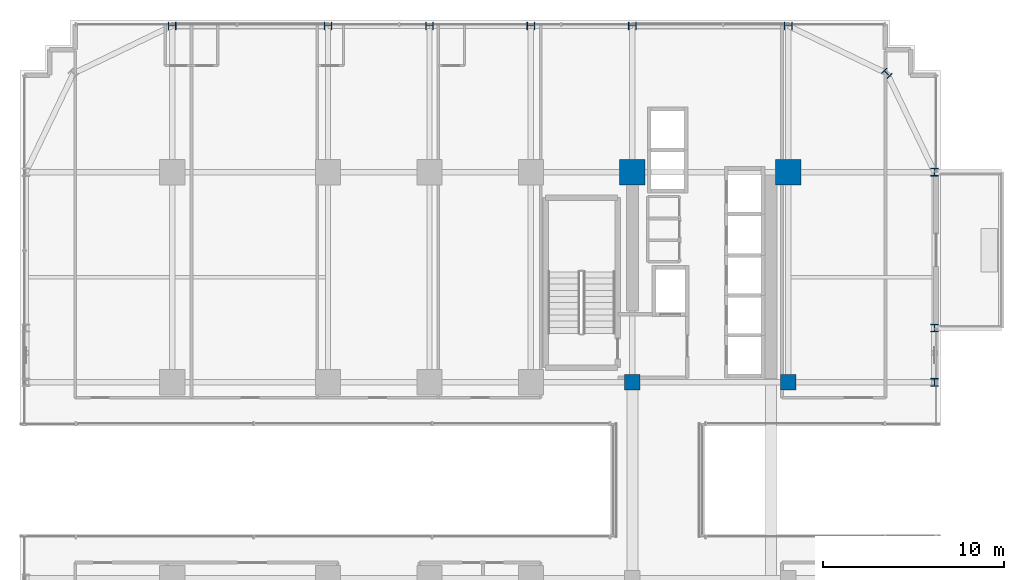
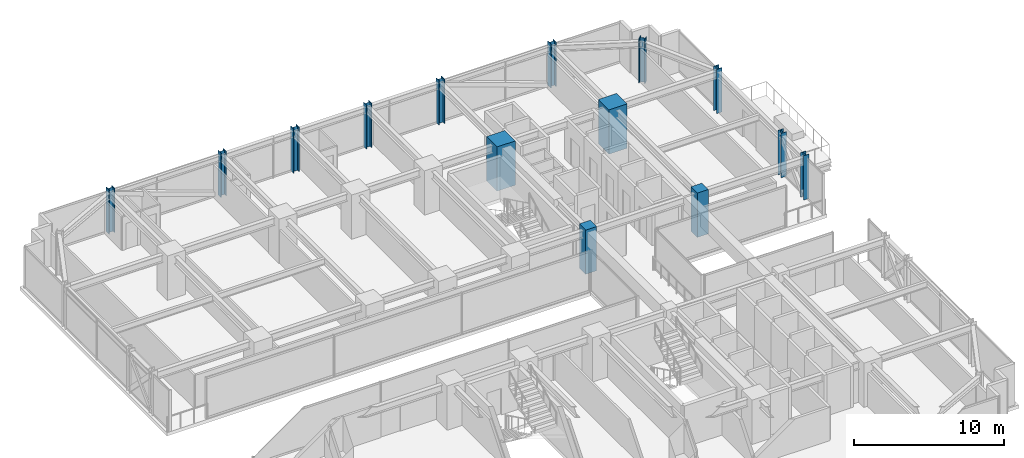
# One storey, part 2 of 35: 14 columns.
"""IFC4 building model written with IfcOpenShell, lengths in metres."""

import ifcopenshell
import ifcopenshell.guid

model = None  # the IFC model being written
_history = None  # IfcOwnerHistory: only IFC2X3 demands one
_inside = {}  # id of a spatial element -> (the spatial element, [elements in it])
_under = {}  # id of a project, library or spatial element -> (it, [spatial elements below it])
_declared = {}  # id of a project -> (the project, [libraries it declares])
_typed = {}  # id of a type object -> (the type object, [elements of that type])
_made_of = {}  # id of a material, layer set ... -> (it, [elements and type objects made of it])


def new_model(schema):
    """Start an empty IFC model of exactly this schema.

    Asked for "IFC4X3", IfcOpenShell would pick the latest addendum, in which some entities
    have other attributes; the version numbers below select the first issue.
    IFC2X3 requires an IfcOwnerHistory on every rooted entity: one is made here for all.
    """
    global model, _history
    if schema == "IFC4X3":
        model = ifcopenshell.file(schema_version=(4, 3, 0, 0))
    else:
        model = ifcopenshell.file(schema=schema)
    _inside.clear()
    _under.clear()
    _declared.clear()
    _typed.clear()
    _made_of.clear()
    _history = None
    if model.schema == "IFC2X3":
        org = make("IfcOrganization", Name="unknown")
        user = make(
            "IfcPersonAndOrganization",
            ThePerson=make("IfcPerson", FamilyName="unknown"),
            TheOrganization=org,
        )
        app = make(
            "IfcApplication",
            ApplicationDeveloper=org,
            Version="unknown",
            ApplicationFullName="unknown",
            ApplicationIdentifier="unknown",
        )
        _history = make(
            "IfcOwnerHistory",
            OwningUser=user,
            OwningApplication=app,
            ChangeAction="ADDED",
            CreationDate=0,
        )
    return model


def make(cls, **values):
    """One entity of the class cls with the attributes given. An attribute that is None is left unset."""
    return model.create_entity(
        cls, **{name: value for name, value in values.items() if value is not None}
    )


def rooted(cls, **values):
    """An entity with a GlobalId (a new one), such as an element, a storey or a relation."""
    return make(cls, GlobalId=ifcopenshell.guid.new(), OwnerHistory=_history, **values)


def si_unit(unit_type, name, prefix=None):
    """IfcSIUnit, for example si_unit("LENGTHUNIT", "METRE", prefix="MILLI")."""
    return make("IfcSIUnit", UnitType=unit_type, Prefix=prefix, Name=name)


def assignment(units):
    """IfcUnitAssignment: the units of a project."""
    return None if units is None else make("IfcUnitAssignment", Units=units)


def point(xyz):
    """IfcCartesianPoint."""
    return None if xyz is None else make("IfcCartesianPoint", Coordinates=xyz)


def direction(xyz):
    """IfcDirection."""
    return None if xyz is None else make("IfcDirection", DirectionRatios=xyz)


def frame(location, z_axis=None, x_axis=None):
    """IfcAxis2Placement3D, a coordinate frame: its origin and axes. An axis left out is left unset."""
    return make(
        "IfcAxis2Placement3D",
        Location=point(location),
        Axis=direction(z_axis),
        RefDirection=direction(x_axis),
    )


def frame_2d(location, x_axis=None):
    """IfcAxis2Placement2D, a coordinate frame in the plane: its origin and x axis."""
    return make(
        "IfcAxis2Placement2D", Location=point(location), RefDirection=direction(x_axis)
    )


def origin():
    """The frame at (0, 0, 0) with its axes left unset."""
    return frame((0.0, 0.0, 0.0))


def origin_2d():
    """The frame at (0, 0) in the plane with its x axis left unset."""
    return frame_2d((0.0, 0.0))


def place(relative_to, where):
    """IfcLocalPlacement: puts the frame where relative to a parent placement (None: the world)."""
    return make(
        "IfcLocalPlacement", PlacementRelTo=relative_to, RelativePlacement=where
    )


def context(
    kind, dimensions, precision=None, world=None, true_north=None, identifier=None
):
    """IfcGeometricRepresentationContext, for example the 3D "Model" context."""
    return make(
        "IfcGeometricRepresentationContext",
        ContextIdentifier=identifier,
        ContextType=kind,
        CoordinateSpaceDimension=dimensions,
        Precision=precision,
        WorldCoordinateSystem=world,
        TrueNorth=true_north,
    )


def subcontext(parent, identifier, kind, view, scale=None):
    """IfcGeometricRepresentationSubContext, for example "Body" below "Model"."""
    return make(
        "IfcGeometricRepresentationSubContext",
        ContextIdentifier=identifier,
        ContextType=kind,
        ParentContext=parent,
        TargetScale=scale,
        TargetView=view,
    )


def project(units=None, contexts=None):
    """IfcProject with its units and contexts."""
    return rooted(
        "IfcProject",
        Name="project",
        RepresentationContexts=contexts,
        UnitsInContext=assignment(units),
    )


def spatial(cls, under=None, at=None, **own):
    """A site, building, storey or space (cls), placed at a placement, below another one or the project."""
    s = rooted(cls, ObjectPlacement=at, **own)
    if under is not None:
        _under.setdefault(under.id(), (under, []))[1].append(s)
    return s


def profile(cls, at=None, kind="AREA", **sizes):
    """A parametric profile (cls). Its sizes go by their IFC names, for example OverallWidth=200.0."""
    return make(cls, ProfileType=kind, Position=at, **sizes)


def rectangle(**sizes):
    """IfcRectangleProfileDef."""
    return profile("IfcRectangleProfileDef", **sizes)


def i_section(**sizes):
    """IfcIShapeProfileDef."""
    return profile("IfcIShapeProfileDef", **sizes)


def extrude(swept, where, along, depth):
    """IfcExtrudedAreaSolid: the profile swept, set in the frame where, extruded along a direction by depth."""
    return make(
        "IfcExtrudedAreaSolid",
        SweptArea=swept,
        Position=where,
        ExtrudedDirection=direction(along),
        Depth=depth,
    )


def shape(context_of_items, identifier, shape_type, items):
    """IfcShapeRepresentation: the items that make up one representation, for example the "Body"."""
    return make(
        "IfcShapeRepresentation",
        ContextOfItems=context_of_items,
        RepresentationIdentifier=identifier,
        RepresentationType=shape_type,
        Items=items,
    )


def source(mapping_origin, context_of_items, identifier, shape_type, items):
    """IfcRepresentationMap: a shape defined once, which mapped items show again and again."""
    return make(
        "IfcRepresentationMap",
        MappingOrigin=mapping_origin,
        MappedRepresentation=shape(context_of_items, identifier, shape_type, items),
    )


def transform(
    local_origin,
    x_axis=None,
    y_axis=None,
    z_axis=None,
    scale=None,
    scale2=None,
    scale3=None,
    uniform=True,
):
    """IfcCartesianTransformationOperator3D, or its non-uniform kind. x_axis, y_axis, z_axis: its Axis1, 2, 3."""
    if uniform:
        return make(
            "IfcCartesianTransformationOperator3D",
            Axis1=direction(x_axis),
            Axis2=direction(y_axis),
            LocalOrigin=point(local_origin),
            Scale=scale,
            Axis3=direction(z_axis),
        )
    return make(
        "IfcCartesianTransformationOperator3DnonUniform",
        Axis1=direction(x_axis),
        Axis2=direction(y_axis),
        LocalOrigin=point(local_origin),
        Scale=scale,
        Axis3=direction(z_axis),
        Scale2=scale2,
        Scale3=scale3,
    )


def mapped(mapping_source, mapping_target):
    """IfcMappedItem: shows the shape of a source again, moved by a transform."""
    return make(
        "IfcMappedItem", MappingSource=mapping_source, MappingTarget=mapping_target
    )


def material(Name=None, Category=None):
    """IfcMaterial."""
    return make("IfcMaterial", Name=Name, Category=Category)


def material_profile(
    of_material, cross_section, Name=None, Category=None, Priority=None
):
    """IfcMaterialProfile: a cross section and its material."""
    return make(
        "IfcMaterialProfile",
        Name=Name,
        Material=of_material,
        Profile=cross_section,
        Priority=Priority,
        Category=Category,
    )


def profile_set(profiles, Name=None, composite=None):
    """IfcMaterialProfileSet."""
    return make(
        "IfcMaterialProfileSet",
        Name=Name,
        MaterialProfiles=profiles,
        CompositeProfile=composite,
    )


def made_of(thing, what):
    """Note that an element or type object is made of a material, layer set ...; save() writes the relation."""
    if what is not None:
        _made_of.setdefault(what.id(), (what, []))[1].append(thing)
    return thing


def type_object(cls, material=None, **own):
    """A type object (cls), such as IfcWallType, which elements share."""
    return made_of(rooted(cls, **own), material)


def element(
    cls,
    number,
    at=None,
    inside=None,
    cuts=None,
    type_object=None,
    material=None,
    context=None,
    identifier="Body",
    shape_type=None,
    held_by="IfcProductDefinitionShape",
    body=None,
    shapes=None,
    **own,
):
    """One element of the class cls, such as IfcWall. Its Tag is "e" and its number.

    at: its placement. inside: the storey or other place that contains it. cuts: it is an
    opening in that element (IfcRelVoidsElement). A single representation is given by context,
    identifier, shape_type and body (its items); several are given by shapes. held_by: the class
    of the entity that holds the representations. save() writes the other relations.
    """
    e = rooted(cls, Tag="e%d" % number, ObjectPlacement=at, **own)
    if body is not None:
        shapes = [shape(context, identifier, shape_type, body)]
    if shapes is not None:
        e.Representation = make(held_by, Representations=shapes)
    if inside is not None:
        _inside.setdefault(inside.id(), (inside, []))[1].append(e)
    if cuts is not None:
        rooted(
            "IfcRelVoidsElement", RelatingBuildingElement=cuts, RelatedOpeningElement=e
        )
    if type_object is not None:
        _typed.setdefault(type_object.id(), (type_object, []))[1].append(e)
    return made_of(e, material)


def aggregate(whole, parts):
    """IfcRelAggregates: a whole, such as a stair, and the parts it consists of."""
    return rooted("IfcRelAggregates", RelatingObject=whole, RelatedObjects=parts)


def save(model, path):
    """Write the relations noted so far, then the file.

    IfcRelAggregates (storeys below a building ...), IfcRelContainedInSpatialStructure (elements
    in a storey), IfcRelDefinesByType, IfcRelAssociatesMaterial and IfcRelDeclares: one each for
    every whole, place, type object, material and project.
    """
    for whole, parts in _under.values():
        aggregate(whole, parts)
    for where, things in _inside.values():
        rooted(
            "IfcRelContainedInSpatialStructure",
            RelatedElements=things,
            RelatingStructure=where,
        )
    for kind, things in _typed.values():
        rooted("IfcRelDefinesByType", RelatedObjects=things, RelatingType=kind)
    for what, things in _made_of.values():
        rooted("IfcRelAssociatesMaterial", RelatedObjects=things, RelatingMaterial=what)
    for by, libraries in _declared.values():
        rooted("IfcRelDeclares", RelatingContext=by, RelatedDefinitions=libraries)
    model.write(path)


model = new_model("IFC4")

# Units and contexts
model_context = context("Model", 3, precision=1e-05, world=origin(), true_north=direction((0.0, 1.0)))
body_context = subcontext(model_context, "Body", "Model", "MODEL_VIEW")
ifc_project = project(units=[si_unit("LENGTHUNIT", "METRE"), si_unit("AREAUNIT", "SQUARE_METRE"), si_unit("VOLUMEUNIT", "CUBIC_METRE"), si_unit("PLANEANGLEUNIT", "RADIAN"), si_unit("MASSUNIT", "GRAM", prefix="KILO")], contexts=[model_context])

# Site, building, storey
site_placement = place(None, origin())
site = spatial("IfcSite", under=ifc_project, at=site_placement, CompositionType="ELEMENT")
building_placement = place(site_placement, origin())
building = spatial("IfcBuilding", under=site, at=building_placement, Name="Nahalor Promenade Grand Hotel", CompositionType="ELEMENT")
storey_placement = place(building_placement, frame((0.0, 0.0, 43.35009765625)))
storey = spatial("IfcBuildingStorey", under=building, at=storey_placement, Name="L09", CompositionType="ELEMENT", Elevation=43.35009765625)

# Columns
ifc_material_1 = material(Name="Concrete B-70 (C60/75)", Category="concrete")
ifc_material_profile_1 = material_profile(ifc_material_1, rectangle(XDim=1.4, YDim=1.4, at=origin_2d()), Name="RC 1400x1400")
ifc_profile_set_1 = profile_set([ifc_material_profile_1], Name="Concrete B-70 (C60/75)")
column_type_1 = type_object("IfcColumnType", Name="Col-RC-1400", PredefinedType="COLUMN", material=ifc_profile_set_1)
shared_shape_1 = source(origin(), body_context, "Body", "SweptSolid", [
    extrude(rectangle(XDim=1.4, YDim=1.4, at=origin_2d()), origin(), (0.0, 0.0, 1.0), 3.60498046875),
])
for number, where, z_axis, x_axis, name in (
    (1, (8.39990234375, 17.0, 0.0), (0.0, 0.0, 1.0), (1.0, 0.0, 0.0), "COL-L09-I43"),
    (2, (17.0, 17.0, 0.0), (0.0, 0.0, 1.0), (1.0, 0.0, 0.0), "COL-L09-I53"),
):
    element("IfcColumn", number, at=place(storey_placement, frame(where, z_axis=z_axis, x_axis=x_axis)), inside=storey, type_object=column_type_1, Name=name, PredefinedType="COLUMN", context=body_context, shape_type="MappedRepresentation", body=[
        mapped(shared_shape_1, transform((0.0, 0.0, 0.0), scale=1.0)),
    ])
ifc_material_profile_2 = material_profile(ifc_material_1, rectangle(XDim=0.85, YDim=0.85, at=origin_2d()), Name="RC 850x850")
ifc_profile_set_2 = profile_set([ifc_material_profile_2], Name="Concrete B-70 (C60/75)")
column_type_2 = type_object("IfcColumnType", Name="Col-Pilaster-850", PredefinedType="PILASTER", material=ifc_profile_set_2)
shared_shape_2 = source(origin(), body_context, "Body", "SweptSolid", [
    extrude(rectangle(XDim=0.85, YDim=0.85, at=origin_2d()), origin(), (0.0, 0.0, 1.0), 3.60498046875),
])
for number, where, z_axis, x_axis, name in (
    (3, (8.39990234375, 5.39990234375, 0.0), (0.0, 0.0, 1.0), (1.0, 0.0, 0.0), "COL-L09-I42"),
    (4, (17.0, 5.39990234375, 0.0), (0.0, 0.0, 1.0), (1.0, 0.0, 0.0), "COL-L09-I52"),
):
    element("IfcColumn", number, at=place(storey_placement, frame(where, z_axis=z_axis, x_axis=x_axis)), inside=storey, type_object=column_type_2, Name=name, PredefinedType="PILASTER", context=body_context, shape_type="MappedRepresentation", body=[
        mapped(shared_shape_2, transform((0.0, 0.0, 0.0), scale=1.0)),
    ])
ifc_material_2 = material(Name="Steel S355J2", Category="steel")
ifc_material_profile_3 = material_profile(ifc_material_2, i_section(OverallWidth=0.412, OverallDepth=0.438, WebThickness=0.0226, FlangeThickness=0.0365, at=origin_2d()), Name="HD 400x463")
ifc_profile_set_3 = profile_set([ifc_material_profile_3], Name="Steel S355J2")
column_type_3 = type_object("IfcColumnType", Name="Col-Steel-HD463", PredefinedType="COLUMN", material=ifc_profile_set_3)
shared_shape_3 = source(origin(), body_context, "Body", "SweptSolid", [
    extrude(i_section(OverallWidth=0.412, OverallDepth=0.438, WebThickness=0.0226, FlangeThickness=0.0365, at=origin_2d()), origin(), (0.0, 0.0, 1.0), 3.60498046875),
])
for number, where, z_axis, x_axis, name in (
    (5, (25.080078125, 5.39990234375, 0.0), (0.0, 0.0, 1.0), (1.0, 0.0, 0.0), "COL-L09-PW-E3"),
    (6, (25.080078125, 8.39990234375, 0.0), (0.0, 0.0, 1.0), (1.0, 0.0, 0.0), "COL-L09-PW-E4"),
    (7, (25.080078125, 17.0, 0.0), (0.0, 0.0, 1.0), (1.0, 0.0, 0.0), "COL-L09-PW-E5"),
    (8, (-17.0, 25.080078125, 0.0), (0.0, 0.0, 1.0), (0.0, 1.0, 0.0), "COL-L09-PN-N0"),
    (9, (-8.39990234375, 25.080078125, 0.0), (0.0, 0.0, 1.0), (0.0, 1.0, 0.0), "COL-L09-PN-N1"),
    (10, (-2.800048828125, 25.080078125, 0.0), (0.0, 0.0, 1.0), (0.0, 1.0, 0.0), "COL-L09-PN-N2"),
    (11, (2.800048828125, 25.080078125, 0.0), (0.0, 0.0, 1.0), (0.0, 1.0, 0.0), "COL-L09-PN-N3"),
    (12, (8.39990234375, 25.080078125, 0.0), (0.0, 0.0, 1.0), (0.0, 1.0, 0.0), "COL-L09-PN-N4"),
    (13, (17.0, 25.080078125, 0.0), (0.0, 0.0, 1.0), (0.0, 1.0, 0.0), "COL-L09-PN-N5"),
    (14, (22.449951171875, 22.449951171875, 0.0), (0.0, 0.0, 1.0), (0.707106781187, 0.707106781187, 0.0), "COL-L09-CRN-NE"),
):
    element("IfcColumn", number, at=place(storey_placement, frame(where, z_axis=z_axis, x_axis=x_axis)), inside=storey, type_object=column_type_3, Name=name, PredefinedType="COLUMN", context=body_context, shape_type="MappedRepresentation", body=[
        mapped(shared_shape_3, transform((0.0, 0.0, 0.0), scale=1.0)),
    ])

save(model, "model.ifc")
